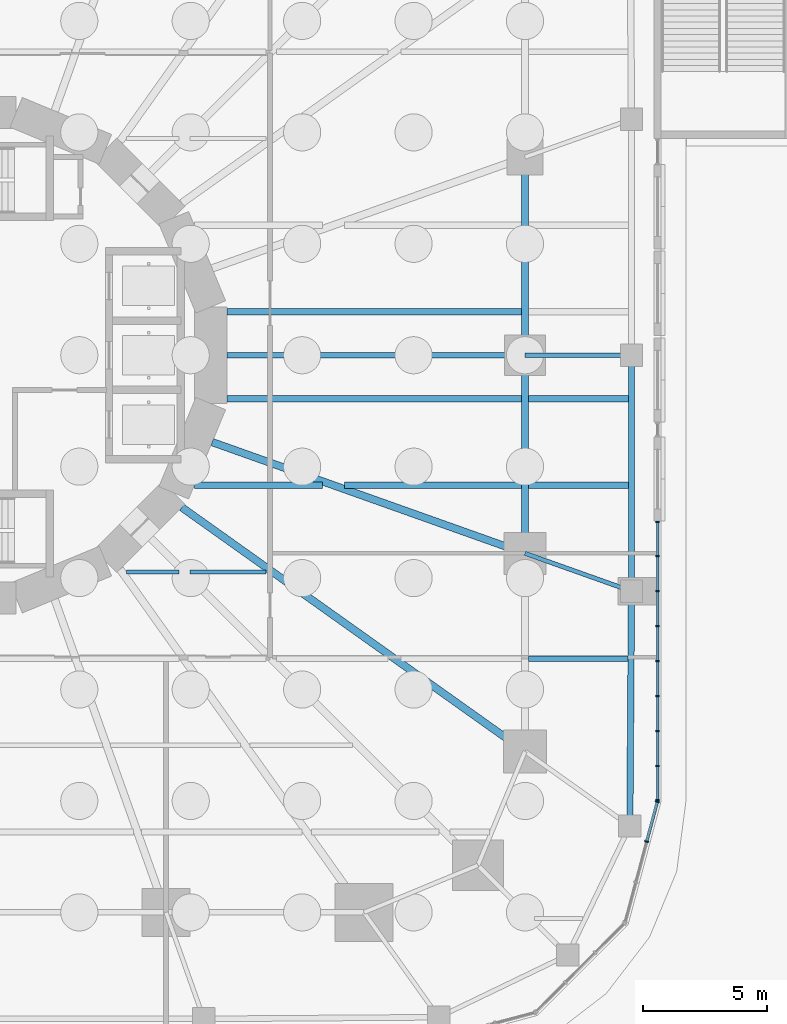
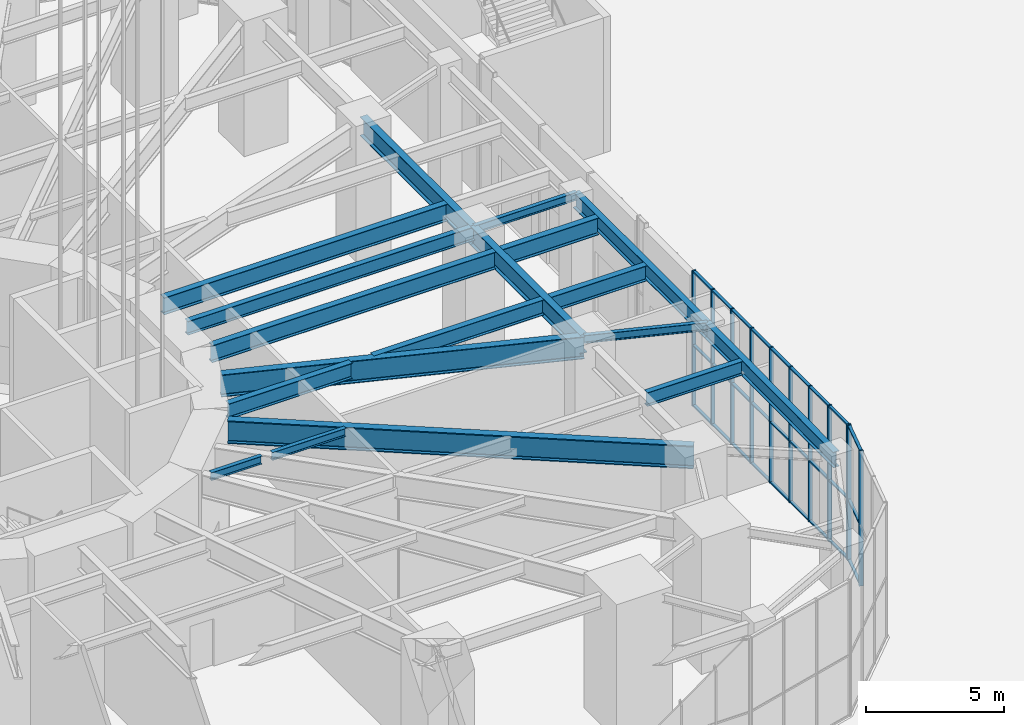
# One storey, part 10 of 43: 38 members, 18 beams, 2 elements without a shape of their own.
"""IFC4 building model written with IfcOpenShell, lengths in metres."""

from ifc_helpers import new_model, si_unit, direction, frame, origin, origin_2d, place, context, subcontext, project, spatial, rectangle, i_section, extrude, material, material_profile, profile_set, type_object, element, aggregate, save


model = new_model("IFC4")

# Units and contexts
model_context = context("Model", 3, precision=1e-05, world=origin(), true_north=direction((0.0, 1.0)))
body_context = subcontext(model_context, "Body", "Model", "MODEL_VIEW")
ifc_project = project(units=[si_unit("LENGTHUNIT", "METRE"), si_unit("AREAUNIT", "SQUARE_METRE"), si_unit("VOLUMEUNIT", "CUBIC_METRE"), si_unit("PLANEANGLEUNIT", "RADIAN"), si_unit("MASSUNIT", "GRAM", prefix="KILO")], contexts=[model_context])

# Site, building, storey
site_placement = place(None, origin())
site = spatial("IfcSite", under=ifc_project, at=site_placement, CompositionType="ELEMENT")
building_placement = place(site_placement, origin())
building = spatial("IfcBuilding", under=site, at=building_placement, Name="Nakasero Lantern House", CompositionType="ELEMENT")
storey_placement = place(building_placement, origin())
storey = spatial("IfcBuildingStorey", under=building, at=storey_placement, Name="L00", CompositionType="ELEMENT", Elevation=0.0)

# Beams
ifc_material_1 = material(Name="Steel S355", Category="steel")
ifc_material_profile_1 = material_profile(ifc_material_1, i_section(OverallWidth=0.17138671875, OverallDepth=0.35498046875, WebThickness=0.00732421875, FlangeThickness=0.011474609375, FilletRadius=0.01025390625, at=origin_2d()), Name="UB 356x171x51")
ifc_profile_set_1 = profile_set([ifc_material_profile_1], Name="Steel S355")
beam_type_1 = type_object("IfcBeamType", Name="Infill beam UB 356x171x51", PredefinedType="JOIST", material=ifc_profile_set_1)
beam_1_placement = place(storey_placement, frame((6.40966796875, -8.75, 5.62255859375), z_axis=(1.0, 0.0, 0.0), x_axis=(0.0, 1.0, 0.0)))
element("IfcBeam", 1, at=beam_1_placement, inside=storey, type_object=beam_type_1, Name="Infill beam L01 06.3", PredefinedType="JOIST", context=body_context, shape_type="SweptSolid", body=[
    extrude(i_section(OverallWidth=0.17138671875, OverallDepth=0.35498046875, WebThickness=0.00732421875, FlangeThickness=0.011474609375, FilletRadius=0.01025390625, at=origin_2d()), origin(), (0.0, 0.0, 1.0), 2.124267578125),
])
beam_2_placement = place(storey_placement, frame((8.966064453125, -8.75, 5.62255859375), z_axis=(1.0, 0.0, 0.0), x_axis=(0.0, 1.0, 0.0)))
element("IfcBeam", 2, at=beam_2_placement, inside=storey, type_object=beam_type_1, Name="Infill beam L01 06.4", PredefinedType="JOIST", context=body_context, shape_type="SweptSolid", body=[
    extrude(i_section(OverallWidth=0.17138671875, OverallDepth=0.35498046875, WebThickness=0.00732421875, FlangeThickness=0.011474609375, FilletRadius=0.01025390625, at=origin_2d()), origin(), (0.0, 0.0, 1.0), 3.0771484375),
])
ifc_material_2 = material(Name="Steel S355", Category="steel")
ifc_material_profile_2 = material_profile(ifc_material_2, i_section(OverallWidth=0.22900390625, OverallDepth=0.6123046875, WebThickness=0.011962890625, FlangeThickness=0.01953125, FilletRadius=0.0126953125, at=origin_2d()), Name="UB 610x229x125")
ifc_profile_set_2 = profile_set([ifc_material_profile_2], Name="Steel S355")
beam_type_2 = type_object("IfcBeamType", Name="Infill beam UB 610x229x125", PredefinedType="JOIST", material=ifc_profile_set_2)
beam_3_placement = place(storey_placement, frame((22.64990234375, -12.25, 5.493896484375), z_axis=(1.0, 0.0, 0.0), x_axis=(0.0, 1.0, 0.0)))
element("IfcBeam", 3, at=beam_3_placement, inside=storey, type_object=beam_type_2, Name="Infill beam L01 05.12", PredefinedType="JOIST", context=body_context, shape_type="SweptSolid", body=[
    extrude(i_section(OverallWidth=0.22900390625, OverallDepth=0.6123046875, WebThickness=0.011962890625, FlangeThickness=0.01953125, FilletRadius=0.0126953125, at=origin_2d()), origin(), (0.0, 0.0, 1.0), 4.003173828125),
])
ifc_material_3 = material(Name="Steel S355", Category="steel")
ifc_material_profile_3 = material_profile(ifc_material_3, i_section(OverallWidth=0.253662109375, OverallDepth=0.68359375, WebThickness=0.012451171875, FlangeThickness=0.01904296875, FilletRadius=0.01513671875, at=origin_2d()), Name="UB 686x254x140")
ifc_profile_set_3 = profile_set([ifc_material_profile_3], Name="Steel S355")
beam_type_3 = type_object("IfcBeamType", Name="Infill beam UB 686x254x140", PredefinedType="JOIST", material=ifc_profile_set_3)
beam_4_placement = place(storey_placement, frame((9.144775390625, -5.25, 5.458251953125), z_axis=(1.0, 0.0, 0.0), x_axis=(0.0, 1.0, 0.0)))
element("IfcBeam", 4, at=beam_4_placement, inside=storey, type_object=beam_type_3, Name="Infill beam L01 07.4", PredefinedType="JOIST", context=body_context, shape_type="SweptSolid", body=[
    extrude(i_section(OverallWidth=0.253662109375, OverallDepth=0.68359375, WebThickness=0.012451171875, FlangeThickness=0.01904296875, FilletRadius=0.01513671875, at=origin_2d()), origin(), (0.0, 0.0, 1.0), 5.173095703125),
])
beam_5_placement = place(storey_placement, frame((15.21337890625, -5.25, 5.458251953125), z_axis=(1.0, 0.0, 0.0), x_axis=(0.0, 1.0, 0.0)))
element("IfcBeam", 5, at=beam_5_placement, inside=storey, type_object=beam_type_3, Name="Infill beam L01 07.5", PredefinedType="JOIST", context=body_context, shape_type="SweptSolid", body=[
    extrude(i_section(OverallWidth=0.253662109375, OverallDepth=0.68359375, WebThickness=0.012451171875, FlangeThickness=0.01904296875, FilletRadius=0.01513671875, at=origin_2d()), origin(), (0.0, 0.0, 1.0), 7.140380859375),
])
beam_6_placement = place(storey_placement, frame((22.646240234375, -5.25, 5.458251953125), z_axis=(1.0, 0.0, 0.0), x_axis=(0.0, 1.0, 0.0)))
element("IfcBeam", 6, at=beam_6_placement, inside=storey, type_object=beam_type_3, Name="Infill beam L01 07.6", PredefinedType="JOIST", context=body_context, shape_type="SweptSolid", body=[
    extrude(i_section(OverallWidth=0.253662109375, OverallDepth=0.68359375, WebThickness=0.012451171875, FlangeThickness=0.01904296875, FilletRadius=0.01513671875, at=origin_2d()), origin(), (0.0, 0.0, 1.0), 4.02587890625),
])
ifc_material_4 = material(Name="Steel S355", Category="steel")
ifc_material_profile_4 = material_profile(ifc_material_4, i_section(OverallWidth=0.2666015625, OverallDepth=0.76220703125, WebThickness=0.014404296875, FlangeThickness=0.021484375, FilletRadius=0.0166015625, at=origin_2d()), Name="UB 762x267x173")
ifc_profile_set_4 = profile_set([ifc_material_profile_4], Name="Steel S355")
beam_type_4 = type_object("IfcBeamType", Name="Infill beam UB 762x267x173", PredefinedType="JOIST", material=ifc_profile_set_4)
beam_7_placement = place(storey_placement, frame((10.457763671875, -1.75, 5.4189453125), z_axis=(1.0, 0.0, 0.0), x_axis=(0.0, 1.0, 0.0)))
element("IfcBeam", 7, at=beam_7_placement, inside=storey, type_object=beam_type_4, Name="Infill beam L01 08.3", PredefinedType="JOIST", context=body_context, shape_type="SweptSolid", body=[
    extrude(i_section(OverallWidth=0.2666015625, OverallDepth=0.76220703125, WebThickness=0.014404296875, FlangeThickness=0.021484375, FilletRadius=0.0166015625, at=origin_2d()), origin(), (0.0, 0.0, 1.0), 11.89599609375),
])
beam_8_placement = place(storey_placement, frame((22.646240234375, -1.75, 5.4189453125), z_axis=(1.0, 0.0, 0.0), x_axis=(0.0, 1.0, 0.0)))
element("IfcBeam", 8, at=beam_8_placement, inside=storey, type_object=beam_type_4, Name="Infill beam L01 08.4", PredefinedType="JOIST", context=body_context, shape_type="SweptSolid", body=[
    extrude(i_section(OverallWidth=0.2666015625, OverallDepth=0.76220703125, WebThickness=0.014404296875, FlangeThickness=0.021484375, FilletRadius=0.0166015625, at=origin_2d()), origin(), (0.0, 0.0, 1.0), 4.02587890625),
])
beam_9_placement = place(storey_placement, frame((10.457763671875, 1.75, 5.4189453125), z_axis=(1.0, 0.0, 0.0), x_axis=(0.0, 1.0, 0.0)))
element("IfcBeam", 9, at=beam_9_placement, inside=storey, type_object=beam_type_4, Name="Infill beam L01 09.3", PredefinedType="JOIST", context=body_context, shape_type="SweptSolid", body=[
    extrude(i_section(OverallWidth=0.2666015625, OverallDepth=0.76220703125, WebThickness=0.014404296875, FlangeThickness=0.021484375, FilletRadius=0.0166015625, at=origin_2d()), origin(), (0.0, 0.0, 1.0), 11.89599609375),
])

# Curtain wall, members
ifc_material_5 = material(Name="Aluminium 6063-T6 and glass", Category="aluminium")
curtain_wall_type = type_object("IfcCurtainWallType", Name="Podium shopfront glazing CW-1", PredefinedType="USERDEFINED", material=ifc_material_5)
curtain_wall_1_placement = place(storey_placement, origin())
curtain_wall_1 = element("IfcCurtainWall", 10, at=curtain_wall_1_placement, inside=storey, type_object=curtain_wall_type, Name="Curtain wall CW-1 L00", ObjectType="STICK CURTAIN WALL", PredefinedType="USERDEFINED")
ifc_material_6 = material(Name="Aluminium 6063-T6", Category="aluminium")
ifc_material_profile_5 = material_profile(ifc_material_6, rectangle(XDim=0.06005859375, YDim=0.159912109375, at=origin_2d()), Name="CW-1 mullion 60x160")
ifc_profile_set_5 = profile_set([ifc_material_profile_5], Name="Aluminium 6063-T6")
member_type_1 = type_object("IfcMemberType", Name="Mullion CW-1", PredefinedType="MULLION", material=ifc_profile_set_5)
member_1_placement = place(storey_placement, frame((27.85009765625, -17.969970703125, 0.0), z_axis=(0.0, 0.0, 1.0), x_axis=(0.0, 1.0, 0.0)))
member_1 = element("IfcMember", 11, at=member_1_placement, type_object=member_type_1, Name="CW-1 mullion 1", PredefinedType="MULLION", context=body_context, shape_type="SweptSolid", body=[
    extrude(rectangle(XDim=0.06005859375, YDim=0.159912109375, at=origin_2d()), origin(), (0.0, 0.0, 1.0), 6.0),
])
member_2_placement = place(storey_placement, frame((27.85009765625, -16.58740234375, 0.0), z_axis=(0.0, 0.0, 1.0), x_axis=(0.0, 1.0, 0.0)))
member_2 = element("IfcMember", 12, at=member_2_placement, type_object=member_type_1, Name="CW-1 mullion 2", PredefinedType="MULLION", context=body_context, shape_type="SweptSolid", body=[
    extrude(rectangle(XDim=0.06005859375, YDim=0.159912109375, at=origin_2d()), origin(), (0.0, 0.0, 1.0), 6.0),
])
member_3_placement = place(storey_placement, frame((27.85009765625, -15.175048828125, 0.0), z_axis=(0.0, 0.0, 1.0), x_axis=(0.0, 1.0, 0.0)))
member_3 = element("IfcMember", 13, at=member_3_placement, type_object=member_type_1, Name="CW-1 mullion 3", PredefinedType="MULLION", context=body_context, shape_type="SweptSolid", body=[
    extrude(rectangle(XDim=0.06005859375, YDim=0.159912109375, at=origin_2d()), origin(), (0.0, 0.0, 1.0), 6.0),
])
member_4_placement = place(storey_placement, frame((27.85009765625, -13.762451171875, 0.0), z_axis=(0.0, 0.0, 1.0), x_axis=(0.0, 1.0, 0.0)))
member_4 = element("IfcMember", 14, at=member_4_placement, type_object=member_type_1, Name="CW-1 mullion 4", PredefinedType="MULLION", context=body_context, shape_type="SweptSolid", body=[
    extrude(rectangle(XDim=0.06005859375, YDim=0.159912109375, at=origin_2d()), origin(), (0.0, 0.0, 1.0), 6.0),
])
member_5_placement = place(storey_placement, frame((27.85009765625, -12.35009765625, 0.0), z_axis=(0.0, 0.0, 1.0), x_axis=(0.0, 1.0, 0.0)))
member_5 = element("IfcMember", 15, at=member_5_placement, type_object=member_type_1, Name="CW-1 mullion 5", PredefinedType="MULLION", context=body_context, shape_type="SweptSolid", body=[
    extrude(rectangle(XDim=0.06005859375, YDim=0.159912109375, at=origin_2d()), origin(), (0.0, 0.0, 1.0), 6.0),
])
member_6_placement = place(storey_placement, frame((27.85009765625, -10.9375, 0.0), z_axis=(0.0, 0.0, 1.0), x_axis=(0.0, 1.0, 0.0)))
member_6 = element("IfcMember", 16, at=member_6_placement, type_object=member_type_1, Name="CW-1 mullion 6", PredefinedType="MULLION", context=body_context, shape_type="SweptSolid", body=[
    extrude(rectangle(XDim=0.06005859375, YDim=0.159912109375, at=origin_2d()), origin(), (0.0, 0.0, 1.0), 6.0),
])
member_7_placement = place(storey_placement, frame((27.85009765625, -9.52490234375, 0.0), z_axis=(0.0, 0.0, 1.0), x_axis=(0.0, 1.0, 0.0)))
member_7 = element("IfcMember", 17, at=member_7_placement, type_object=member_type_1, Name="CW-1 mullion 7", PredefinedType="MULLION", context=body_context, shape_type="SweptSolid", body=[
    extrude(rectangle(XDim=0.06005859375, YDim=0.159912109375, at=origin_2d()), origin(), (0.0, 0.0, 1.0), 6.0),
])
member_8_placement = place(storey_placement, frame((27.85009765625, -8.112548828125, 0.0), z_axis=(0.0, 0.0, 1.0), x_axis=(0.0, 1.0, 0.0)))
member_8 = element("IfcMember", 18, at=member_8_placement, type_object=member_type_1, Name="CW-1 mullion 8", PredefinedType="MULLION", context=body_context, shape_type="SweptSolid", body=[
    extrude(rectangle(XDim=0.06005859375, YDim=0.159912109375, at=origin_2d()), origin(), (0.0, 0.0, 1.0), 6.0),
])
member_9_placement = place(storey_placement, frame((27.85009765625, -6.72998046875, 0.0), z_axis=(0.0, 0.0, 1.0), x_axis=(0.0, 1.0, 0.0)))
member_9 = element("IfcMember", 19, at=member_9_placement, type_object=member_type_1, Name="CW-1 mullion 9", PredefinedType="MULLION", context=body_context, shape_type="SweptSolid", body=[
    extrude(rectangle(XDim=0.06005859375, YDim=0.159912109375, at=origin_2d()), origin(), (0.0, 0.0, 1.0), 6.0),
])

curtain_wall_2_placement = place(storey_placement, origin())
curtain_wall_2 = element("IfcCurtainWall", 20, at=curtain_wall_2_placement, inside=storey, type_object=curtain_wall_type, Name="Curtain wall CW-1 L00", ObjectType="STICK CURTAIN WALL", PredefinedType="USERDEFINED")
member_10_placement = place(storey_placement, frame((27.41015625, -19.6416015625, 0.0), z_axis=(0.0, 0.0, 1.0), x_axis=(0.258819045103, 0.965925826289, 0.0)))
member_10 = element("IfcMember", 21, at=member_10_placement, type_object=member_type_1, Name="CW-1 mullion 3", PredefinedType="MULLION", context=body_context, shape_type="SweptSolid", body=[
    extrude(rectangle(XDim=0.06005859375, YDim=0.159912109375, at=origin_2d()), origin(), (0.0, 0.0, 1.0), 6.0),
])
member_11_placement = place(storey_placement, frame((27.84228515625, -18.029052734375, 0.0), z_axis=(0.0, 0.0, 1.0), x_axis=(0.258819045103, 0.965925826289, 0.0)))
member_11 = element("IfcMember", 22, at=member_11_placement, type_object=member_type_1, Name="CW-1 mullion 4", PredefinedType="MULLION", context=body_context, shape_type="SweptSolid", body=[
    extrude(rectangle(XDim=0.06005859375, YDim=0.159912109375, at=origin_2d()), origin(), (0.0, 0.0, 1.0), 6.0),
])

# Beams
ifc_material_7 = material(Name="Steel S355", Category="steel")
ifc_material_profile_6 = material_profile(ifc_material_7, i_section(OverallWidth=0.300048828125, OverallDepth=0.989990234375, WebThickness=0.0166015625, FlangeThickness=0.031005859375, FilletRadius=0.030029296875, at=origin_2d()), Name="UB 1016x305x272")
ifc_profile_set_6 = profile_set([ifc_material_profile_6], Name="Steel S355")
beam_type_5 = type_object("IfcBeamType", Name="Primary beam UB 1016x305x272, span 12 to 15 m", PredefinedType="BEAM", material=ifc_profile_set_6)
beam_10_placement = place(storey_placement, frame((22.5, -8.0, 5.304931640625), z_axis=(-0.942214307118, 0.335010745293, 0.0), x_axis=(-0.335010745293, -0.942214307118, 0.0)))
element("IfcBeam", 23, at=beam_10_placement, inside=storey, type_object=beam_type_5, Name="Primary beam L01 B1-C02", PredefinedType="BEAM", context=body_context, shape_type="SweptSolid", body=[
    extrude(i_section(OverallWidth=0.300048828125, OverallDepth=0.989990234375, WebThickness=0.0166015625, FlangeThickness=0.031005859375, FilletRadius=0.030029296875, at=origin_2d()), origin(), (0.0, 0.0, 1.0), 13.408447265625),
])
ifc_material_8 = material(Name="Steel S355", Category="steel")
ifc_material_profile_7 = material_profile(ifc_material_8, i_section(OverallWidth=0.302978515625, OverallDepth=1.015869140625, WebThickness=0.0244140625, FlangeThickness=0.0439453125, FilletRadius=0.030029296875, at=origin_2d()), Name="UB 1016x305x393")
ifc_profile_set_7 = profile_set([ifc_material_profile_7], Name="Steel S355")
beam_type_6 = type_object("IfcBeamType", Name="Primary beam UB 1016x305x393, span over 15 m", PredefinedType="BEAM", material=ifc_profile_set_7)
beam_11_placement = place(storey_placement, frame((22.5, -16.0, 5.2919921875), z_axis=(-0.814952159915, 0.579528236629, 0.0), x_axis=(-0.579528236629, -0.814952159915, 0.0)))
element("IfcBeam", 24, at=beam_11_placement, inside=storey, type_object=beam_type_6, Name="Primary beam L01 B1-C01", PredefinedType="BEAM", context=body_context, shape_type="SweptSolid", body=[
    extrude(i_section(OverallWidth=0.302978515625, OverallDepth=1.015869140625, WebThickness=0.0244140625, FlangeThickness=0.0439453125, FilletRadius=0.030029296875, at=origin_2d()), origin(), (0.0, 0.0, 1.0), 17.003173828125),
])
ifc_material_9 = material(Name="Steel S355", Category="steel")
ifc_material_profile_8 = material_profile(ifc_material_9, i_section(OverallWidth=0.17138671875, OverallDepth=0.35498046875, WebThickness=0.00732421875, FlangeThickness=0.011474609375, FilletRadius=0.01025390625, at=origin_2d()), Name="UB 356x171x51")
ifc_profile_set_8 = profile_set([ifc_material_profile_8], Name="Steel S355")
beam_type_7 = type_object("IfcBeamType", Name="Primary beam UB 356x171x51, span to 6 m", PredefinedType="BEAM", material=ifc_profile_set_8)
beam_12_placement = place(storey_placement, frame((26.800048828125, -9.52880859375, 5.62255859375), z_axis=(-0.942221444489, 0.334990670833, 0.0), x_axis=(-0.334990670833, -0.942221444489, 0.0)))
element("IfcBeam", 25, at=beam_12_placement, inside=storey, type_object=beam_type_7, Name="Primary beam L01 POD-C02", PredefinedType="BEAM", context=body_context, shape_type="SweptSolid", body=[
    extrude(i_section(OverallWidth=0.17138671875, OverallDepth=0.35498046875, WebThickness=0.00732421875, FlangeThickness=0.011474609375, FilletRadius=0.01025390625, at=origin_2d()), origin(), (0.0, 0.0, 1.0), 4.563720703125),
])
beam_13_placement = place(storey_placement, frame((26.800048828125, 0.0, 5.62255859375), z_axis=(-1.0, 0.0, 0.0), x_axis=(0.0, -1.0, 0.0)))
element("IfcBeam", 26, at=beam_13_placement, inside=storey, type_object=beam_type_7, Name="Primary beam L01 POD-C03", PredefinedType="BEAM", context=body_context, shape_type="SweptSolid", body=[
    extrude(i_section(OverallWidth=0.17138671875, OverallDepth=0.35498046875, WebThickness=0.00732421875, FlangeThickness=0.011474609375, FilletRadius=0.01025390625, at=origin_2d()), origin(), (0.0, 0.0, 1.0), 4.300048828125),
])
ifc_material_10 = material(Name="Steel S355", Category="steel")
ifc_material_profile_9 = material_profile(ifc_material_10, i_section(OverallWidth=0.22900390625, OverallDepth=0.6123046875, WebThickness=0.011962890625, FlangeThickness=0.01953125, FilletRadius=0.0126953125, at=origin_2d()), Name="UB 610x229x125")
ifc_profile_set_9 = profile_set([ifc_material_profile_9], Name="Steel S355")
beam_type_8 = type_object("IfcBeamType", Name="Primary beam UB 610x229x125, span 12 to 15 m", PredefinedType="BEAM", material=ifc_profile_set_9)
beam_14_placement = place(storey_placement, frame((22.5, 0.0, 5.493896484375), z_axis=(-1.0, 0.0, 0.0), x_axis=(0.0, -1.0, 0.0)))
element("IfcBeam", 27, at=beam_14_placement, inside=storey, type_object=beam_type_8, Name="Primary beam L01 B1-C03", PredefinedType="BEAM", context=body_context, shape_type="SweptSolid", body=[
    extrude(i_section(OverallWidth=0.22900390625, OverallDepth=0.6123046875, WebThickness=0.011962890625, FlangeThickness=0.01953125, FilletRadius=0.0126953125, at=origin_2d()), origin(), (0.0, 0.0, 1.0), 12.042236328125),
])
ifc_material_11 = material(Name="Steel S355", Category="steel")
ifc_material_profile_10 = material_profile(ifc_material_11, i_section(OverallWidth=0.255859375, OverallDepth=0.69287109375, WebThickness=0.014404296875, FlangeThickness=0.023681640625, FilletRadius=0.01513671875, at=origin_2d()), Name="UB 686x254x170")
ifc_profile_set_10 = profile_set([ifc_material_profile_10], Name="Steel S355")
beam_type_9 = type_object("IfcBeamType", Name="Ring beam UB 686x254x170", PredefinedType="BEAM", material=ifc_profile_set_10)
beam_15_placement = place(storey_placement, frame((26.733642578125, -19.0107421875, 5.45361328125), z_axis=(0.007003278482, 0.999975476745, 0.0), x_axis=(-0.999975476745, 0.007003278482, 0.0)))
element("IfcBeam", 28, at=beam_15_placement, inside=storey, type_object=beam_type_9, Name="Ring beam L01 POD-C01", PredefinedType="BEAM", context=body_context, shape_type="SweptSolid", body=[
    extrude(i_section(OverallWidth=0.255859375, OverallDepth=0.69287109375, WebThickness=0.014404296875, FlangeThickness=0.023681640625, FilletRadius=0.01513671875, at=origin_2d()), origin(), (0.0, 0.0, 1.0), 9.482177734375),
])
beam_16_placement = place(storey_placement, frame((26.800048828125, -9.52880859375, 5.45361328125), z_axis=(0.0, 1.0, 0.0), x_axis=(-1.0, 0.0, 0.0)))
element("IfcBeam", 29, at=beam_16_placement, inside=storey, type_object=beam_type_9, Name="Ring beam L01 POD-C02", PredefinedType="BEAM", context=body_context, shape_type="SweptSolid", body=[
    extrude(i_section(OverallWidth=0.255859375, OverallDepth=0.69287109375, WebThickness=0.014404296875, FlangeThickness=0.023681640625, FilletRadius=0.01513671875, at=origin_2d()), origin(), (0.0, 0.0, 1.0), 9.52880859375),
])
ifc_material_12 = material(Name="Steel S355", Category="steel")
ifc_material_profile_11 = material_profile(ifc_material_12, i_section(OverallWidth=0.29248046875, OverallDepth=0.8408203125, WebThickness=0.0146484375, FlangeThickness=0.02685546875, FilletRadius=0.017822265625, at=origin_2d()), Name="UB 838x292x194")
ifc_profile_set_11 = profile_set([ifc_material_profile_11], Name="Steel S355")
beam_type_10 = type_object("IfcBeamType", Name="Ring beam UB 838x292x194", PredefinedType="BEAM", material=ifc_profile_set_11)
for number, where, z_axis, x_axis, name in (
    (30, (22.5, -8.0, 5.379638671875), (0.0, 1.0, 0.0), (-1.0, 0.0, 0.0), "Ring beam L01 B1-C02"),
    (31, (22.5, 0.0, 5.379638671875), (0.0, 1.0, 0.0), (-1.0, 0.0, 0.0), "Ring beam L01 B1-C03"),
):
    element("IfcBeam", number, at=place(storey_placement, frame(where, z_axis=z_axis, x_axis=x_axis)), inside=storey, type_object=beam_type_10, Name=name, PredefinedType="BEAM", context=body_context, shape_type="SweptSolid", body=[
        extrude(i_section(OverallWidth=0.29248046875, OverallDepth=0.8408203125, WebThickness=0.0146484375, FlangeThickness=0.02685546875, FilletRadius=0.017822265625, at=origin_2d()), origin(), (0.0, 0.0, 1.0), 8.0),
    ])

# Member
ifc_material_13 = material(Name="Aluminium 6063-T6", Category="aluminium")
ifc_material_profile_12 = material_profile(ifc_material_13, rectangle(XDim=0.06005859375, YDim=0.1201171875, at=origin_2d()), Name="CW-1 transom 60x120")
ifc_profile_set_12 = profile_set([ifc_material_profile_12], Name="Aluminium 6063-T6")
member_type_2 = type_object("IfcMemberType", Name="Transom CW-1", PredefinedType="USERDEFINED", material=ifc_profile_set_12)
member_12_placement = place(storey_placement, frame((27.85009765625, -17.93994140625, 0.030029296875), z_axis=(0.0, 1.0, 0.0), x_axis=(0.0, 0.0, 1.0)))
member_12 = element("IfcMember", 32, at=member_12_placement, type_object=member_type_2, Name="CW-1 transom 1.1", ObjectType="TRANSOM", PredefinedType="USERDEFINED", context=body_context, shape_type="SweptSolid", body=[
    extrude(rectangle(XDim=0.06005859375, YDim=0.1201171875, at=origin_2d()), origin(), (0.0, 0.0, 1.0), 1.322509765625),
])

member_13_placement = place(storey_placement, frame((27.85009765625, -17.93994140625, 2.699951171875), z_axis=(0.0, 1.0, 0.0), x_axis=(0.0, 0.0, 1.0)))
member_13 = element("IfcMember", 33, at=member_13_placement, type_object=member_type_2, Name="CW-1 transom 1.2", ObjectType="TRANSOM", PredefinedType="USERDEFINED", context=body_context, shape_type="SweptSolid", body=[
    extrude(rectangle(XDim=0.06005859375, YDim=0.1201171875, at=origin_2d()), origin(), (0.0, 0.0, 1.0), 1.322509765625),
])

member_14_placement = place(storey_placement, frame((27.85009765625, -17.93994140625, 5.969970703125), z_axis=(0.0, 1.0, 0.0), x_axis=(0.0, 0.0, 1.0)))
member_14 = element("IfcMember", 34, at=member_14_placement, type_object=member_type_2, Name="CW-1 transom 1.3", ObjectType="TRANSOM", PredefinedType="USERDEFINED", context=body_context, shape_type="SweptSolid", body=[
    extrude(rectangle(XDim=0.06005859375, YDim=0.1201171875, at=origin_2d()), origin(), (0.0, 0.0, 1.0), 1.322509765625),
])

member_15_placement = place(storey_placement, frame((27.85009765625, -16.5576171875, 0.030029296875), z_axis=(0.0, 1.0, 0.0), x_axis=(0.0, 0.0, 1.0)))
member_15 = element("IfcMember", 35, at=member_15_placement, type_object=member_type_2, Name="CW-1 transom 2.1", ObjectType="TRANSOM", PredefinedType="USERDEFINED", context=body_context, shape_type="SweptSolid", body=[
    extrude(rectangle(XDim=0.06005859375, YDim=0.1201171875, at=origin_2d()), origin(), (0.0, 0.0, 1.0), 1.3525390625),
])

member_16_placement = place(storey_placement, frame((27.85009765625, -16.5576171875, 2.699951171875), z_axis=(0.0, 1.0, 0.0), x_axis=(0.0, 0.0, 1.0)))
member_16 = element("IfcMember", 36, at=member_16_placement, type_object=member_type_2, Name="CW-1 transom 2.2", ObjectType="TRANSOM", PredefinedType="USERDEFINED", context=body_context, shape_type="SweptSolid", body=[
    extrude(rectangle(XDim=0.06005859375, YDim=0.1201171875, at=origin_2d()), origin(), (0.0, 0.0, 1.0), 1.3525390625),
])

member_17_placement = place(storey_placement, frame((27.85009765625, -16.5576171875, 5.969970703125), z_axis=(0.0, 1.0, 0.0), x_axis=(0.0, 0.0, 1.0)))
member_17 = element("IfcMember", 37, at=member_17_placement, type_object=member_type_2, Name="CW-1 transom 2.3", ObjectType="TRANSOM", PredefinedType="USERDEFINED", context=body_context, shape_type="SweptSolid", body=[
    extrude(rectangle(XDim=0.06005859375, YDim=0.1201171875, at=origin_2d()), origin(), (0.0, 0.0, 1.0), 1.3525390625),
])

member_18_placement = place(storey_placement, frame((27.85009765625, -15.14501953125, 0.030029296875), z_axis=(0.0, 1.0, 0.0), x_axis=(0.0, 0.0, 1.0)))
member_18 = element("IfcMember", 38, at=member_18_placement, type_object=member_type_2, Name="CW-1 transom 3.1", ObjectType="TRANSOM", PredefinedType="USERDEFINED", context=body_context, shape_type="SweptSolid", body=[
    extrude(rectangle(XDim=0.06005859375, YDim=0.1201171875, at=origin_2d()), origin(), (0.0, 0.0, 1.0), 1.3525390625),
])

member_19_placement = place(storey_placement, frame((27.85009765625, -15.14501953125, 2.699951171875), z_axis=(0.0, 1.0, 0.0), x_axis=(0.0, 0.0, 1.0)))
member_19 = element("IfcMember", 39, at=member_19_placement, type_object=member_type_2, Name="CW-1 transom 3.2", ObjectType="TRANSOM", PredefinedType="USERDEFINED", context=body_context, shape_type="SweptSolid", body=[
    extrude(rectangle(XDim=0.06005859375, YDim=0.1201171875, at=origin_2d()), origin(), (0.0, 0.0, 1.0), 1.3525390625),
])

member_20_placement = place(storey_placement, frame((27.85009765625, -15.14501953125, 5.969970703125), z_axis=(0.0, 1.0, 0.0), x_axis=(0.0, 0.0, 1.0)))
member_20 = element("IfcMember", 40, at=member_20_placement, type_object=member_type_2, Name="CW-1 transom 3.3", ObjectType="TRANSOM", PredefinedType="USERDEFINED", context=body_context, shape_type="SweptSolid", body=[
    extrude(rectangle(XDim=0.06005859375, YDim=0.1201171875, at=origin_2d()), origin(), (0.0, 0.0, 1.0), 1.3525390625),
])

member_21_placement = place(storey_placement, frame((27.85009765625, -13.732421875, 0.030029296875), z_axis=(0.0, 1.0, 0.0), x_axis=(0.0, 0.0, 1.0)))
member_21 = element("IfcMember", 41, at=member_21_placement, type_object=member_type_2, Name="CW-1 transom 4.1", ObjectType="TRANSOM", PredefinedType="USERDEFINED", context=body_context, shape_type="SweptSolid", body=[
    extrude(rectangle(XDim=0.06005859375, YDim=0.1201171875, at=origin_2d()), origin(), (0.0, 0.0, 1.0), 1.3525390625),
])

member_22_placement = place(storey_placement, frame((27.85009765625, -13.732421875, 2.699951171875), z_axis=(0.0, 1.0, 0.0), x_axis=(0.0, 0.0, 1.0)))
member_22 = element("IfcMember", 42, at=member_22_placement, type_object=member_type_2, Name="CW-1 transom 4.2", ObjectType="TRANSOM", PredefinedType="USERDEFINED", context=body_context, shape_type="SweptSolid", body=[
    extrude(rectangle(XDim=0.06005859375, YDim=0.1201171875, at=origin_2d()), origin(), (0.0, 0.0, 1.0), 1.3525390625),
])

member_23_placement = place(storey_placement, frame((27.85009765625, -13.732421875, 5.969970703125), z_axis=(0.0, 1.0, 0.0), x_axis=(0.0, 0.0, 1.0)))
member_23 = element("IfcMember", 43, at=member_23_placement, type_object=member_type_2, Name="CW-1 transom 4.3", ObjectType="TRANSOM", PredefinedType="USERDEFINED", context=body_context, shape_type="SweptSolid", body=[
    extrude(rectangle(XDim=0.06005859375, YDim=0.1201171875, at=origin_2d()), origin(), (0.0, 0.0, 1.0), 1.3525390625),
])

member_24_placement = place(storey_placement, frame((27.85009765625, -12.320068359375, 0.030029296875), z_axis=(0.0, 1.0, 0.0), x_axis=(0.0, 0.0, 1.0)))
member_24 = element("IfcMember", 44, at=member_24_placement, type_object=member_type_2, Name="CW-1 transom 5.1", ObjectType="TRANSOM", PredefinedType="USERDEFINED", context=body_context, shape_type="SweptSolid", body=[
    extrude(rectangle(XDim=0.06005859375, YDim=0.1201171875, at=origin_2d()), origin(), (0.0, 0.0, 1.0), 1.3525390625),
])

member_25_placement = place(storey_placement, frame((27.85009765625, -12.320068359375, 2.699951171875), z_axis=(0.0, 1.0, 0.0), x_axis=(0.0, 0.0, 1.0)))
member_25 = element("IfcMember", 45, at=member_25_placement, type_object=member_type_2, Name="CW-1 transom 5.2", ObjectType="TRANSOM", PredefinedType="USERDEFINED", context=body_context, shape_type="SweptSolid", body=[
    extrude(rectangle(XDim=0.06005859375, YDim=0.1201171875, at=origin_2d()), origin(), (0.0, 0.0, 1.0), 1.3525390625),
])

member_26_placement = place(storey_placement, frame((27.85009765625, -12.320068359375, 5.969970703125), z_axis=(0.0, 1.0, 0.0), x_axis=(0.0, 0.0, 1.0)))
member_26 = element("IfcMember", 46, at=member_26_placement, type_object=member_type_2, Name="CW-1 transom 5.3", ObjectType="TRANSOM", PredefinedType="USERDEFINED", context=body_context, shape_type="SweptSolid", body=[
    extrude(rectangle(XDim=0.06005859375, YDim=0.1201171875, at=origin_2d()), origin(), (0.0, 0.0, 1.0), 1.3525390625),
])

member_27_placement = place(storey_placement, frame((27.85009765625, -10.907470703125, 0.030029296875), z_axis=(0.0, 1.0, 0.0), x_axis=(0.0, 0.0, 1.0)))
member_27 = element("IfcMember", 47, at=member_27_placement, type_object=member_type_2, Name="CW-1 transom 6.1", ObjectType="TRANSOM", PredefinedType="USERDEFINED", context=body_context, shape_type="SweptSolid", body=[
    extrude(rectangle(XDim=0.06005859375, YDim=0.1201171875, at=origin_2d()), origin(), (0.0, 0.0, 1.0), 1.3525390625),
])

member_28_placement = place(storey_placement, frame((27.85009765625, -10.907470703125, 2.699951171875), z_axis=(0.0, 1.0, 0.0), x_axis=(0.0, 0.0, 1.0)))
member_28 = element("IfcMember", 48, at=member_28_placement, type_object=member_type_2, Name="CW-1 transom 6.2", ObjectType="TRANSOM", PredefinedType="USERDEFINED", context=body_context, shape_type="SweptSolid", body=[
    extrude(rectangle(XDim=0.06005859375, YDim=0.1201171875, at=origin_2d()), origin(), (0.0, 0.0, 1.0), 1.3525390625),
])

member_29_placement = place(storey_placement, frame((27.85009765625, -10.907470703125, 5.969970703125), z_axis=(0.0, 1.0, 0.0), x_axis=(0.0, 0.0, 1.0)))
member_29 = element("IfcMember", 49, at=member_29_placement, type_object=member_type_2, Name="CW-1 transom 6.3", ObjectType="TRANSOM", PredefinedType="USERDEFINED", context=body_context, shape_type="SweptSolid", body=[
    extrude(rectangle(XDim=0.06005859375, YDim=0.1201171875, at=origin_2d()), origin(), (0.0, 0.0, 1.0), 1.3525390625),
])

member_30_placement = place(storey_placement, frame((27.85009765625, -9.4951171875, 0.030029296875), z_axis=(0.0, 1.0, 0.0), x_axis=(0.0, 0.0, 1.0)))
member_30 = element("IfcMember", 50, at=member_30_placement, type_object=member_type_2, Name="CW-1 transom 7.1", ObjectType="TRANSOM", PredefinedType="USERDEFINED", context=body_context, shape_type="SweptSolid", body=[
    extrude(rectangle(XDim=0.06005859375, YDim=0.1201171875, at=origin_2d()), origin(), (0.0, 0.0, 1.0), 1.3525390625),
])

member_31_placement = place(storey_placement, frame((27.85009765625, -9.4951171875, 2.699951171875), z_axis=(0.0, 1.0, 0.0), x_axis=(0.0, 0.0, 1.0)))
member_31 = element("IfcMember", 51, at=member_31_placement, type_object=member_type_2, Name="CW-1 transom 7.2", ObjectType="TRANSOM", PredefinedType="USERDEFINED", context=body_context, shape_type="SweptSolid", body=[
    extrude(rectangle(XDim=0.06005859375, YDim=0.1201171875, at=origin_2d()), origin(), (0.0, 0.0, 1.0), 1.3525390625),
])

member_32_placement = place(storey_placement, frame((27.85009765625, -9.4951171875, 5.969970703125), z_axis=(0.0, 1.0, 0.0), x_axis=(0.0, 0.0, 1.0)))
member_32 = element("IfcMember", 52, at=member_32_placement, type_object=member_type_2, Name="CW-1 transom 7.3", ObjectType="TRANSOM", PredefinedType="USERDEFINED", context=body_context, shape_type="SweptSolid", body=[
    extrude(rectangle(XDim=0.06005859375, YDim=0.1201171875, at=origin_2d()), origin(), (0.0, 0.0, 1.0), 1.3525390625),
])

member_33_placement = place(storey_placement, frame((27.85009765625, -8.08251953125, 0.030029296875), z_axis=(0.0, 1.0, 0.0), x_axis=(0.0, 0.0, 1.0)))
member_33 = element("IfcMember", 53, at=member_33_placement, type_object=member_type_2, Name="CW-1 transom 8.1", ObjectType="TRANSOM", PredefinedType="USERDEFINED", context=body_context, shape_type="SweptSolid", body=[
    extrude(rectangle(XDim=0.06005859375, YDim=0.1201171875, at=origin_2d()), origin(), (0.0, 0.0, 1.0), 1.322509765625),
])

member_34_placement = place(storey_placement, frame((27.85009765625, -8.08251953125, 2.699951171875), z_axis=(0.0, 1.0, 0.0), x_axis=(0.0, 0.0, 1.0)))
member_34 = element("IfcMember", 54, at=member_34_placement, type_object=member_type_2, Name="CW-1 transom 8.2", ObjectType="TRANSOM", PredefinedType="USERDEFINED", context=body_context, shape_type="SweptSolid", body=[
    extrude(rectangle(XDim=0.06005859375, YDim=0.1201171875, at=origin_2d()), origin(), (0.0, 0.0, 1.0), 1.322509765625),
])

member_35_placement = place(storey_placement, frame((27.85009765625, -8.08251953125, 5.969970703125), z_axis=(0.0, 1.0, 0.0), x_axis=(0.0, 0.0, 1.0)))
member_35 = element("IfcMember", 55, at=member_35_placement, type_object=member_type_2, Name="CW-1 transom 8.3", ObjectType="TRANSOM", PredefinedType="USERDEFINED", context=body_context, shape_type="SweptSolid", body=[
    extrude(rectangle(XDim=0.06005859375, YDim=0.1201171875, at=origin_2d()), origin(), (0.0, 0.0, 1.0), 1.322509765625),
])

aggregate(curtain_wall_1, [member_1, member_2, member_3, member_4, member_5, member_6, member_7, member_8, member_9, member_12, member_13, member_14, member_15, member_16, member_17, member_18, member_19, member_20, member_21, member_22, member_23, member_24, member_25, member_26, member_27, member_28, member_29, member_30, member_31, member_32, member_33, member_34, member_35])

member_36_placement = place(storey_placement, frame((27.41796875, -19.61279296875, 0.030029296875), z_axis=(0.258738612203, 0.96594737463, 0.0), x_axis=(0.0, 0.0, 1.0)))
member_36 = element("IfcMember", 56, at=member_36_placement, type_object=member_type_2, Name="CW-1 transom 3.1", ObjectType="TRANSOM", PredefinedType="USERDEFINED", context=body_context, shape_type="SweptSolid", body=[
    extrude(rectangle(XDim=0.06005859375, YDim=0.1201171875, at=origin_2d()), origin(), (0.0, 0.0, 1.0), 1.60986328125),
])

member_37_placement = place(storey_placement, frame((27.41796875, -19.61279296875, 2.699951171875), z_axis=(0.258738612203, 0.96594737463, 0.0), x_axis=(0.0, 0.0, 1.0)))
member_37 = element("IfcMember", 57, at=member_37_placement, type_object=member_type_2, Name="CW-1 transom 3.2", ObjectType="TRANSOM", PredefinedType="USERDEFINED", context=body_context, shape_type="SweptSolid", body=[
    extrude(rectangle(XDim=0.06005859375, YDim=0.1201171875, at=origin_2d()), origin(), (0.0, 0.0, 1.0), 1.60986328125),
])

member_38_placement = place(storey_placement, frame((27.41796875, -19.61279296875, 5.969970703125), z_axis=(0.258738612203, 0.96594737463, 0.0), x_axis=(0.0, 0.0, 1.0)))
member_38 = element("IfcMember", 58, at=member_38_placement, type_object=member_type_2, Name="CW-1 transom 3.3", ObjectType="TRANSOM", PredefinedType="USERDEFINED", context=body_context, shape_type="SweptSolid", body=[
    extrude(rectangle(XDim=0.06005859375, YDim=0.1201171875, at=origin_2d()), origin(), (0.0, 0.0, 1.0), 1.60986328125),
])

aggregate(curtain_wall_2, [member_10, member_11, member_36, member_37, member_38])

save(model, "model.ifc")
